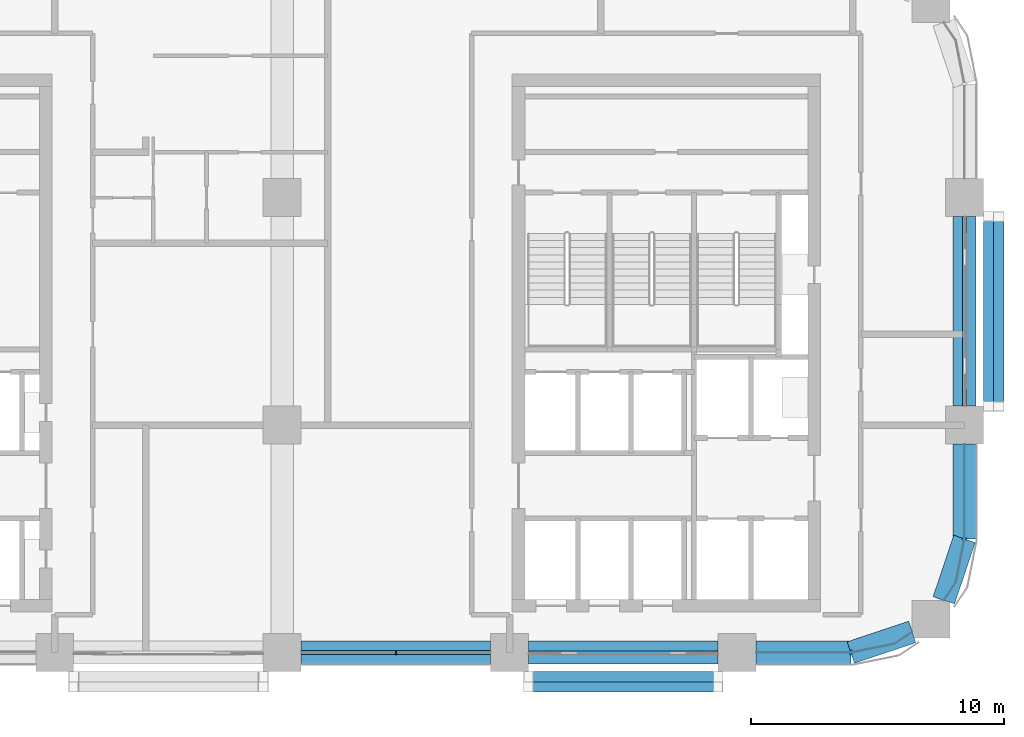
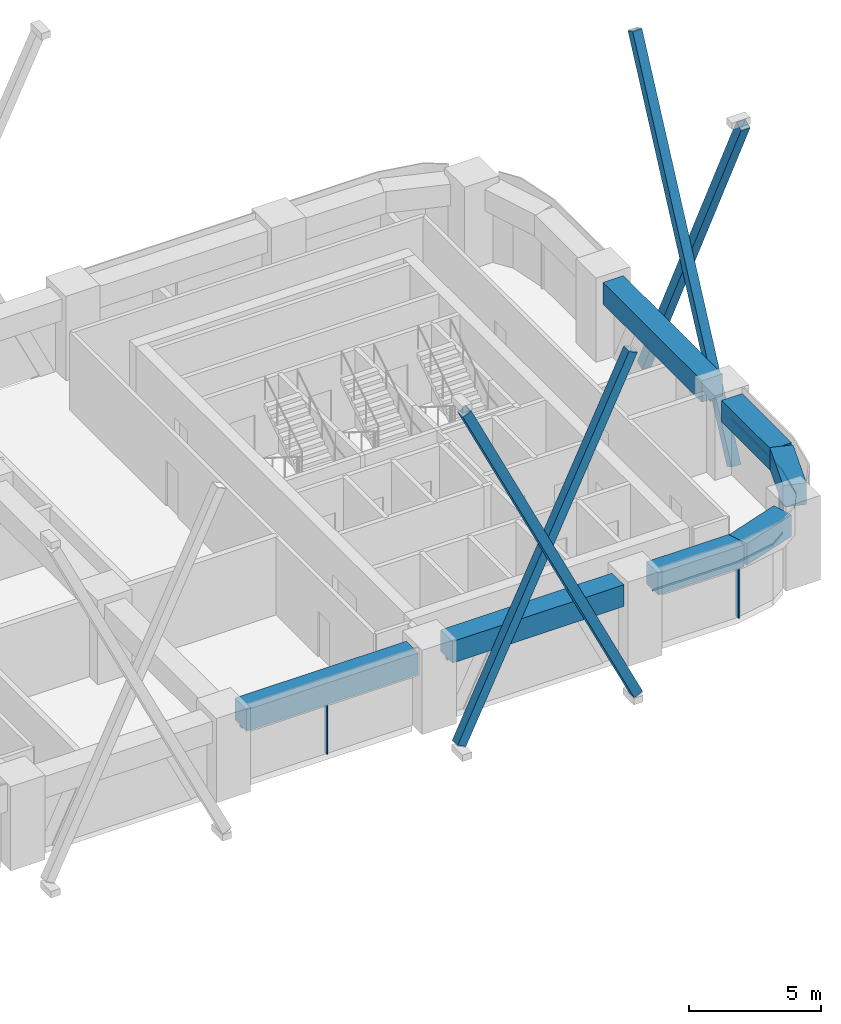
# One storey, part 4 of 13: 12 members, 7 beams, 5 elements without a shape of their own.
"""IFC4 building model written with IfcOpenShell, lengths in metres."""

from ifc_helpers import new_model, si_unit, direction, frame, origin, origin_2d, place, context, subcontext, project, spatial, polyline, rectangle, hollow_rectangle, outline, extrude, material, material_profile, profile_set, type_object, element, aggregate, save


model = new_model("IFC4")

# Units and contexts
model_context = context("Model", 3, precision=1e-05, world=origin(), true_north=direction((0.0, 1.0)))
body_context = subcontext(model_context, "Body", "Model", "MODEL_VIEW")
ifc_project = project(units=[si_unit("LENGTHUNIT", "METRE"), si_unit("AREAUNIT", "SQUARE_METRE"), si_unit("VOLUMEUNIT", "CUBIC_METRE"), si_unit("PLANEANGLEUNIT", "RADIAN"), si_unit("MASSUNIT", "GRAM", prefix="KILO")], contexts=[model_context])

# Site, building, storey
site_placement = place(None, origin())
site = spatial("IfcSite", under=ifc_project, at=site_placement, CompositionType="ELEMENT")
building_placement = place(site_placement, origin())
building = spatial("IfcBuilding", under=site, at=building_placement, Name="Tessera Arch", CompositionType="ELEMENT")
storey_placement = place(building_placement, frame((0.0, 0.0, 166.10009765625)))
storey = spatial("IfcBuildingStorey", under=building, at=storey_placement, Name="L39", CompositionType="ELEMENT", Elevation=166.10009765625)

# Members
ifc_material_1 = material(Name="Steel A500 Gr C", Category="steel")
ifc_material_profile_1 = material_profile(ifc_material_1, hollow_rectangle(XDim=0.406494140625, YDim=0.406494140625, WallThickness=0.0146484375, at=origin_2d()), Name="HSS16x16x5/8")
ifc_profile_set_1 = profile_set([ifc_material_profile_1], Name="Steel A500 Gr C")
member_type_1 = type_object("IfcMemberType", Name="Brace HSS16x16x5/8 Steel A500 Gr C", PredefinedType="BRACE", material=ifc_profile_set_1)
for number, where, z_axis, x_axis, name in (
    (1, (54.953125, 36.75, -0.800048828125), (0.0, 0.433297739671, 0.90125083567), (-1.0, 0.0, 0.0), "Brace E54.27-0 A L39-L42"),
    (2, (55.359619140625, 44.25, -0.800048828125), (0.0, -0.433297739671, 0.90125083567), (1.0, 0.0, 0.0), "Brace E54.27-0 B L39-L42"),
    (3, (36.75, 26.046875, -0.800048828125), (0.433297739671, 0.0, 0.90125083567), (0.0, 1.0, 0.0), "Brace S27.0-4 A L39-L42"),
    (4, (44.25, 25.640380859375, -0.800048828125), (-0.433297739671, 0.0, 0.90125083567), (0.0, -1.0, 0.0), "Brace S27.0-4 B L39-L42"),
):
    element("IfcMember", number, at=place(storey_placement, frame(where, z_axis=z_axis, x_axis=x_axis)), inside=storey, type_object=member_type_1, Name=name, PredefinedType="BRACE", context=body_context, shape_type="SweptSolid", body=[
        extrude(hollow_rectangle(XDim=0.406494140625, YDim=0.406494140625, WallThickness=0.0146484375, at=origin_2d()), origin(), (0.0, 0.0, 1.0), 17.30908203125),
    ])

# Curtain wall, members
ifc_material_2 = material(Name="CW1 curtain wall")
curtain_wall_type_1 = type_object("IfcCurtainWallType", Name="CW1 curtain wall", PredefinedType="NOTDEFINED", material=ifc_material_2)
curtain_wall_1_placement = place(storey_placement, origin())
curtain_wall_1 = element("IfcCurtainWall", 5, at=curtain_wall_1_placement, inside=storey, type_object=curtain_wall_type_1, Name="CW1 curtain wall S27.0/3 L39", PredefinedType="NOTDEFINED")
ifc_material_3 = material(Name="Anodised aluminium pale metal", Category="aluminium")
ifc_material_profile_2 = material_profile(ifc_material_3, rectangle(XDim=0.159912109375, YDim=0.06005859375, at=origin_2d()), Name="AL 60x160")
ifc_profile_set_2 = profile_set([ifc_material_profile_2], Name="Anodised aluminium pale metal")
member_type_2 = type_object("IfcMemberType", Name="CW1 mullion", PredefinedType="MULLION", material=ifc_profile_set_2)
member_1_placement = place(storey_placement, frame((31.5, 27.0, 0.0), z_axis=(0.0, 0.0, 1.0), x_axis=(0.0, 1.0, 0.0)))
member_1 = element("IfcMember", 6, at=member_1_placement, type_object=member_type_2, Name="CW1 mullion S27.0/3 1", PredefinedType="MULLION", context=body_context, shape_type="SweptSolid", body=[
    extrude(rectangle(XDim=0.159912109375, YDim=0.06005859375, at=origin_2d()), origin(), (0.0, 0.0, 1.0), 2.5),
])
ifc_material_4 = material(Name="Anodised aluminium pale metal", Category="aluminium")
ifc_material_profile_3 = material_profile(ifc_material_4, rectangle(XDim=0.159912109375, YDim=0.10009765625, at=origin_2d()), Name="AL 160x100")
ifc_profile_set_3 = profile_set([ifc_material_profile_3], Name="Anodised aluminium pale metal")
member_type_3 = type_object("IfcMemberType", Name="CW1 transom", PredefinedType="USERDEFINED", material=ifc_profile_set_3)
member_2_placement = place(storey_placement, frame((27.75, 27.0, 2.5498046875), z_axis=(1.0, 0.0, 0.0), x_axis=(0.0, 1.0, 0.0)))
member_2 = element("IfcMember", 7, at=member_2_placement, type_object=member_type_3, Name="CW1 transom S27.0/3 1.1", ObjectType="TRANSOM", PredefinedType="USERDEFINED", context=body_context, shape_type="SweptSolid", body=[
    extrude(rectangle(XDim=0.159912109375, YDim=0.10009765625, at=origin_2d()), origin(), (0.0, 0.0, 1.0), 7.5),
])
aggregate(curtain_wall_1, [member_1, member_2])

# Curtain wall, member
ifc_material_5 = material(Name="CW2 curtain wall")
curtain_wall_type_2 = type_object("IfcCurtainWallType", Name="CW2 curtain wall", PredefinedType="NOTDEFINED", material=ifc_material_5)
curtain_wall_2_placement = place(storey_placement, origin())
curtain_wall_2 = element("IfcCurtainWall", 8, at=curtain_wall_2_placement, inside=storey, type_object=curtain_wall_type_2, Name="CW2 curtain wall S27.0/5 L39", PredefinedType="NOTDEFINED")
ifc_material_6 = material(Name="Anodised aluminium pale metal", Category="aluminium")
ifc_material_profile_4 = material_profile(ifc_material_6, rectangle(XDim=0.199951171875, YDim=0.080078125, at=origin_2d()), Name="AL 80x200")
ifc_profile_set_4 = profile_set([ifc_material_profile_4], Name="Anodised aluminium pale metal")
member_type_4 = type_object("IfcMemberType", Name="CW2 mullion", PredefinedType="MULLION", material=ifc_profile_set_4)
member_3_placement = place(storey_placement, frame((49.5, 27.0, 0.0), z_axis=(0.0, 0.0, 1.0), x_axis=(0.0, 1.0, 0.0)))
member_3 = element("IfcMember", 9, at=member_3_placement, type_object=member_type_4, Name="CW2 mullion S27.0/5 1", PredefinedType="MULLION", context=body_context, shape_type="SweptSolid", body=[
    extrude(rectangle(XDim=0.199951171875, YDim=0.080078125, at=origin_2d()), origin(), (0.0, 0.0, 1.0), 2.5),
])

curtain_wall_3_placement = place(storey_placement, origin())
curtain_wall_3 = element("IfcCurtainWall", 10, at=curtain_wall_3_placement, inside=storey, type_object=curtain_wall_type_2, Name="CW2 curtain wall E54.27/2 L39", PredefinedType="NOTDEFINED")
member_4_placement = place(storey_placement, frame((54.0, 31.5, 0.0), z_axis=(0.0, 0.0, 1.0), x_axis=(-1.0, 0.0, 0.0)))
member_4 = element("IfcMember", 11, at=member_4_placement, type_object=member_type_4, Name="CW2 mullion E54.27/2 1", PredefinedType="MULLION", context=body_context, shape_type="SweptSolid", body=[
    extrude(rectangle(XDim=0.199951171875, YDim=0.080078125, at=origin_2d()), origin(), (0.0, 0.0, 1.0), 2.5),
])

# Member
ifc_material_7 = material(Name="Anodised aluminium pale metal", Category="aluminium")
ifc_material_profile_5 = material_profile(ifc_material_7, rectangle(XDim=0.199951171875, YDim=0.10009765625, at=origin_2d()), Name="AL 200x100")
ifc_profile_set_5 = profile_set([ifc_material_profile_5], Name="Anodised aluminium pale metal")
member_type_5 = type_object("IfcMemberType", Name="CW2 transom", PredefinedType="USERDEFINED", material=ifc_profile_set_5)
member_5_placement = place(storey_placement, frame((0.0, 0.0, 2.5)))
member_5 = element("IfcMember", 12, at=member_5_placement, type_object=member_type_5, Name="CW2 transom S27.0/5 1", ObjectType="TRANSOM", PredefinedType="USERDEFINED", context=body_context, shape_type="SweptSolid", body=[
    extrude(outline(polyline([(49.4990234375, 27.010009765625), (45.75, 27.010009765625), (45.75, 26.989990234375), (49.5009765625, 26.989990234375), (51.22607421875, 27.3330078125), (51.9375, 27.80859375), (51.926513671875, 27.8251953125), (51.21826171875, 27.351806640625), (49.4990234375, 27.010009765625)])), origin(), (0.0, 0.0, 1.0), 0.099853515625),
])

aggregate(curtain_wall_2, [member_3, member_5])

member_6_placement = place(storey_placement, frame((0.0, 0.0, 2.5)))
member_6 = element("IfcMember", 13, at=member_6_placement, type_object=member_type_5, Name="CW2 transom E54.27/2 1", ObjectType="TRANSOM", PredefinedType="USERDEFINED", context=body_context, shape_type="SweptSolid", body=[
    extrude(outline(polyline([(53.648193359375, 29.78173828125), (53.1748046875, 29.073486328125), (53.19140625, 29.0625), (53.6669921875, 29.77392578125), (54.010009765625, 31.4990234375), (54.010009765625, 35.25), (53.989990234375, 35.25), (53.989990234375, 31.5009765625), (53.648193359375, 29.78173828125)])), origin(), (0.0, 0.0, 1.0), 0.099853515625),
])

aggregate(curtain_wall_3, [member_4, member_6])

# Curtain wall, member
ifc_material_8 = material(Name="CW3 curtain wall")
curtain_wall_type_3 = type_object("IfcCurtainWallType", Name="CW3 curtain wall", PredefinedType="NOTDEFINED", material=ifc_material_8)
curtain_wall_4_placement = place(storey_placement, origin())
curtain_wall_4 = element("IfcCurtainWall", 14, at=curtain_wall_4_placement, inside=storey, type_object=curtain_wall_type_3, Name="CW3 curtain wall E54.27/0 L39", PredefinedType="NOTDEFINED")
ifc_material_9 = material(Name="Anodised aluminium pale metal", Category="aluminium")
ifc_material_profile_6 = material_profile(ifc_material_9, rectangle(XDim=0.139892578125, YDim=0.10009765625, at=origin_2d()), Name="AL 140x100")
ifc_profile_set_6 = profile_set([ifc_material_profile_6], Name="Anodised aluminium pale metal")
member_type_6 = type_object("IfcMemberType", Name="CW3 transom", PredefinedType="USERDEFINED", material=ifc_profile_set_6)
member_7_placement = place(storey_placement, frame((54.0, 36.75, 2.5498046875), z_axis=(0.0, 1.0, 0.0), x_axis=(-1.0, 0.0, 0.0)))
member_7 = element("IfcMember", 15, at=member_7_placement, type_object=member_type_6, Name="CW3 transom E54.27/0 1.1", ObjectType="TRANSOM", PredefinedType="USERDEFINED", context=body_context, shape_type="SweptSolid", body=[
    extrude(rectangle(XDim=0.139892578125, YDim=0.10009765625, at=origin_2d()), origin(), (0.0, 0.0, 1.0), 7.5),
])
aggregate(curtain_wall_4, [member_7])

curtain_wall_5_placement = place(storey_placement, origin())
curtain_wall_5 = element("IfcCurtainWall", 16, at=curtain_wall_5_placement, inside=storey, type_object=curtain_wall_type_3, Name="CW3 curtain wall S27.0/4 L39", PredefinedType="NOTDEFINED")
member_8_placement = place(storey_placement, frame((36.75, 27.0, 2.5498046875), z_axis=(1.0, 0.0, 0.0), x_axis=(0.0, 1.0, 0.0)))
member_8 = element("IfcMember", 17, at=member_8_placement, type_object=member_type_6, Name="CW3 transom S27.0/4 1.1", ObjectType="TRANSOM", PredefinedType="USERDEFINED", context=body_context, shape_type="SweptSolid", body=[
    extrude(rectangle(XDim=0.139892578125, YDim=0.10009765625, at=origin_2d()), origin(), (0.0, 0.0, 1.0), 7.5),
])
aggregate(curtain_wall_5, [member_8])

# Beams
ifc_material_10 = material(Name="Concrete C70/85", Category="concrete")
ifc_material_profile_7 = material_profile(ifc_material_10, rectangle(XDim=0.89990234375, YDim=1.0, at=origin_2d()), Name="RC spandrel beam 900 x 1000 Concrete C70/85")
ifc_profile_set_7 = profile_set([ifc_material_profile_7], Name="Concrete C70/85")
beam_type = type_object("IfcBeamType", Name="RC spandrel beam 900 x 1000 Concrete C70/85", PredefinedType="BEAM", material=ifc_profile_set_7)
for number, where, z_axis, x_axis, name in (
    (18, (54.0, 36.75, 3.099853515625), (0.0, 1.0, 0.0), (-1.0, 0.0, 0.0), "Spandrel beam L39 E54.27/0"),
    (19, (27.75, 27.0, 3.099853515625), (1.0, 0.0, 0.0), (0.0, 1.0, 0.0), "Spandrel beam L39 S27.0/3"),
    (20, (36.75, 27.0, 3.099853515625), (1.0, 0.0, 0.0), (0.0, 1.0, 0.0), "Spandrel beam L39 S27.0/4"),
):
    element("IfcBeam", number, at=place(storey_placement, frame(where, z_axis=z_axis, x_axis=x_axis)), inside=storey, type_object=beam_type, Name=name, PredefinedType="BEAM", context=body_context, shape_type="SweptSolid", body=[
        extrude(rectangle(XDim=0.89990234375, YDim=1.0, at=origin_2d()), origin(), (0.0, 0.0, 1.0), 7.5),
    ])
beam_1_placement = place(storey_placement, frame((45.75, 27.0, 3.099853515625), z_axis=(1.0, 0.0, 0.0), x_axis=(0.0, 1.0, 0.0)))
element("IfcBeam", 21, at=beam_1_placement, inside=storey, type_object=beam_type, Name="Spandrel beam L39 S27.0/5.1", PredefinedType="BEAM", context=body_context, shape_type="SweptSolid", body=[
    extrude(rectangle(XDim=0.89990234375, YDim=1.0, at=origin_2d()), origin(), (0.0, 0.0, 1.0), 3.75),
])
for number, where, z_axis, x_axis, name in (
    (22, (49.5, 27.0, 3.099853515625), (0.947947973234, 0.31842525032, 0.0), (-0.31842525032, 0.947947973234, 0.0), "Spandrel beam L39 S27.0/5.2"),
    (23, (53.18310546875, 29.068115234375, 3.099853515625), (0.31842525032, 0.947947973234, 0.0), (-0.947947973234, 0.31842525032, 0.0), "Spandrel beam L39 E54.27/2.1"),
):
    element("IfcBeam", number, at=place(storey_placement, frame(where, z_axis=z_axis, x_axis=x_axis)), inside=storey, type_object=beam_type, Name=name, PredefinedType="BEAM", context=body_context, shape_type="SweptSolid", body=[
        extrude(rectangle(XDim=0.89990234375, YDim=1.0, at=origin_2d()), origin(), (0.0, 0.0, 1.0), 2.5654296875),
    ])
beam_2_placement = place(storey_placement, frame((54.0, 31.5, 3.099853515625), z_axis=(0.0, 1.0, 0.0), x_axis=(-1.0, 0.0, 0.0)))
element("IfcBeam", 24, at=beam_2_placement, inside=storey, type_object=beam_type, Name="Spandrel beam L39 E54.27/2.2", PredefinedType="BEAM", context=body_context, shape_type="SweptSolid", body=[
    extrude(rectangle(XDim=0.89990234375, YDim=1.0, at=origin_2d()), origin(), (0.0, 0.0, 1.0), 3.75),
])

save(model, "model.ifc")
